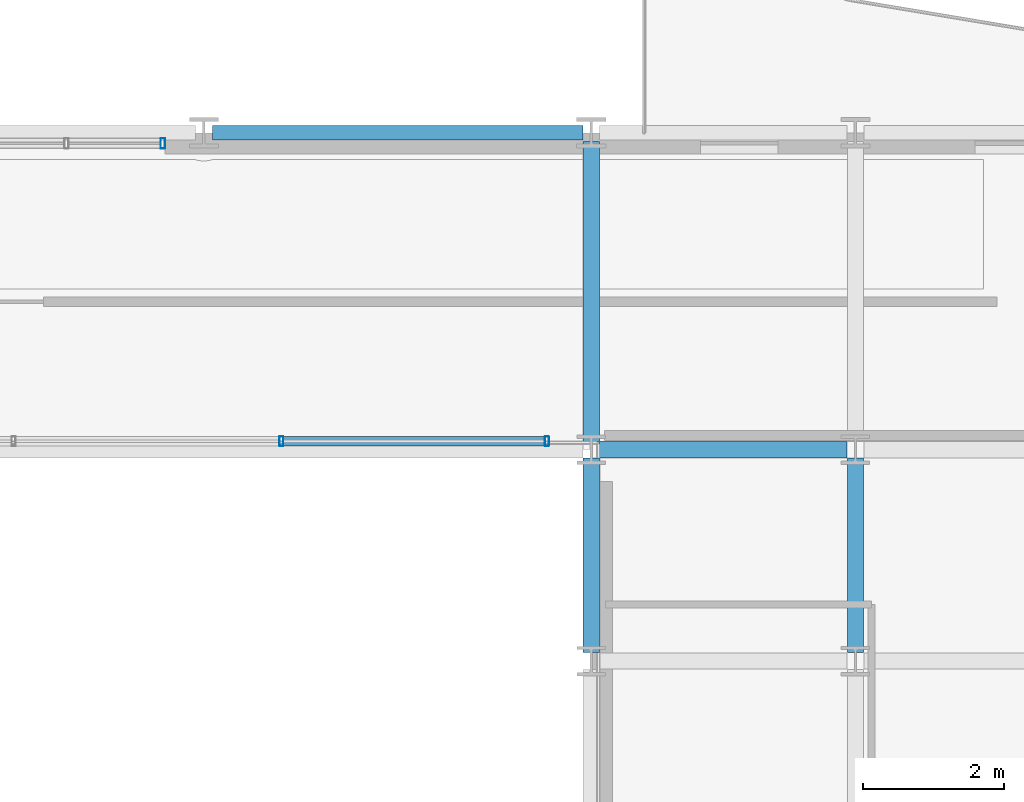
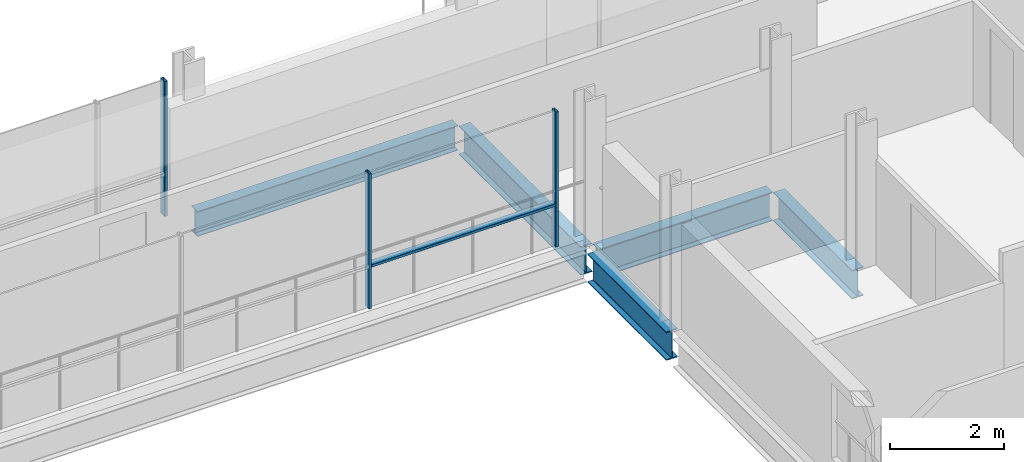
# One storey, part 17 of 38: 5 beams, 4 members, 2 elements without a shape of their own.
"""IFC4 building model written with IfcOpenShell, lengths in metres."""

import ifcopenshell
import ifcopenshell.guid

model = None  # the IFC model being written
_history = None  # IfcOwnerHistory: only IFC2X3 demands one
_inside = {}  # id of a spatial element -> (the spatial element, [elements in it])
_under = {}  # id of a project, library or spatial element -> (it, [spatial elements below it])
_declared = {}  # id of a project -> (the project, [libraries it declares])
_typed = {}  # id of a type object -> (the type object, [elements of that type])
_made_of = {}  # id of a material, layer set ... -> (it, [elements and type objects made of it])


def new_model(schema):
    """Start an empty IFC model of exactly this schema.

    Asked for "IFC4X3", IfcOpenShell would pick the latest addendum, in which some entities
    have other attributes; the version numbers below select the first issue.
    IFC2X3 requires an IfcOwnerHistory on every rooted entity: one is made here for all.
    """
    global model, _history
    if schema == "IFC4X3":
        model = ifcopenshell.file(schema_version=(4, 3, 0, 0))
    else:
        model = ifcopenshell.file(schema=schema)
    _inside.clear()
    _under.clear()
    _declared.clear()
    _typed.clear()
    _made_of.clear()
    _history = None
    if model.schema == "IFC2X3":
        org = make("IfcOrganization", Name="unknown")
        user = make(
            "IfcPersonAndOrganization",
            ThePerson=make("IfcPerson", FamilyName="unknown"),
            TheOrganization=org,
        )
        app = make(
            "IfcApplication",
            ApplicationDeveloper=org,
            Version="unknown",
            ApplicationFullName="unknown",
            ApplicationIdentifier="unknown",
        )
        _history = make(
            "IfcOwnerHistory",
            OwningUser=user,
            OwningApplication=app,
            ChangeAction="ADDED",
            CreationDate=0,
        )
    return model


def make(cls, **values):
    """One entity of the class cls with the attributes given. An attribute that is None is left unset."""
    return model.create_entity(
        cls, **{name: value for name, value in values.items() if value is not None}
    )


def rooted(cls, **values):
    """An entity with a GlobalId (a new one), such as an element, a storey or a relation."""
    return make(cls, GlobalId=ifcopenshell.guid.new(), OwnerHistory=_history, **values)


def si_unit(unit_type, name, prefix=None):
    """IfcSIUnit, for example si_unit("LENGTHUNIT", "METRE", prefix="MILLI")."""
    return make("IfcSIUnit", UnitType=unit_type, Prefix=prefix, Name=name)


def assignment(units):
    """IfcUnitAssignment: the units of a project."""
    return None if units is None else make("IfcUnitAssignment", Units=units)


def point(xyz):
    """IfcCartesianPoint."""
    return None if xyz is None else make("IfcCartesianPoint", Coordinates=xyz)


def direction(xyz):
    """IfcDirection."""
    return None if xyz is None else make("IfcDirection", DirectionRatios=xyz)


def frame(location, z_axis=None, x_axis=None):
    """IfcAxis2Placement3D, a coordinate frame: its origin and axes. An axis left out is left unset."""
    return make(
        "IfcAxis2Placement3D",
        Location=point(location),
        Axis=direction(z_axis),
        RefDirection=direction(x_axis),
    )


def frame_2d(location, x_axis=None):
    """IfcAxis2Placement2D, a coordinate frame in the plane: its origin and x axis."""
    return make(
        "IfcAxis2Placement2D", Location=point(location), RefDirection=direction(x_axis)
    )


def origin():
    """The frame at (0, 0, 0) with its axes left unset."""
    return frame((0.0, 0.0, 0.0))


def origin_2d():
    """The frame at (0, 0) in the plane with its x axis left unset."""
    return frame_2d((0.0, 0.0))


def place(relative_to, where):
    """IfcLocalPlacement: puts the frame where relative to a parent placement (None: the world)."""
    return make(
        "IfcLocalPlacement", PlacementRelTo=relative_to, RelativePlacement=where
    )


def context(
    kind, dimensions, precision=None, world=None, true_north=None, identifier=None
):
    """IfcGeometricRepresentationContext, for example the 3D "Model" context."""
    return make(
        "IfcGeometricRepresentationContext",
        ContextIdentifier=identifier,
        ContextType=kind,
        CoordinateSpaceDimension=dimensions,
        Precision=precision,
        WorldCoordinateSystem=world,
        TrueNorth=true_north,
    )


def subcontext(parent, identifier, kind, view, scale=None):
    """IfcGeometricRepresentationSubContext, for example "Body" below "Model"."""
    return make(
        "IfcGeometricRepresentationSubContext",
        ContextIdentifier=identifier,
        ContextType=kind,
        ParentContext=parent,
        TargetScale=scale,
        TargetView=view,
    )


def project(units=None, contexts=None):
    """IfcProject with its units and contexts."""
    return rooted(
        "IfcProject",
        Name="project",
        RepresentationContexts=contexts,
        UnitsInContext=assignment(units),
    )


def spatial(cls, under=None, at=None, **own):
    """A site, building, storey or space (cls), placed at a placement, below another one or the project."""
    s = rooted(cls, ObjectPlacement=at, **own)
    if under is not None:
        _under.setdefault(under.id(), (under, []))[1].append(s)
    return s


def profile(cls, at=None, kind="AREA", **sizes):
    """A parametric profile (cls). Its sizes go by their IFC names, for example OverallWidth=200.0."""
    return make(cls, ProfileType=kind, Position=at, **sizes)


def hollow_rectangle(**sizes):
    """IfcRectangleHollowProfileDef."""
    return profile("IfcRectangleHollowProfileDef", **sizes)


def i_section(**sizes):
    """IfcIShapeProfileDef."""
    return profile("IfcIShapeProfileDef", **sizes)


def extrude(swept, where, along, depth):
    """IfcExtrudedAreaSolid: the profile swept, set in the frame where, extruded along a direction by depth."""
    return make(
        "IfcExtrudedAreaSolid",
        SweptArea=swept,
        Position=where,
        ExtrudedDirection=direction(along),
        Depth=depth,
    )


def shape(context_of_items, identifier, shape_type, items):
    """IfcShapeRepresentation: the items that make up one representation, for example the "Body"."""
    return make(
        "IfcShapeRepresentation",
        ContextOfItems=context_of_items,
        RepresentationIdentifier=identifier,
        RepresentationType=shape_type,
        Items=items,
    )


def material(Name=None, Category=None):
    """IfcMaterial."""
    return make("IfcMaterial", Name=Name, Category=Category)


def layer(
    of_material, thickness, ventilated=None, Name=None, Category=None, Priority=None
):
    """IfcMaterialLayer: one layer of a wall or slab, of a material (None: an air gap)."""
    return make(
        "IfcMaterialLayer",
        Material=of_material,
        LayerThickness=thickness,
        IsVentilated=ventilated,
        Name=Name,
        Category=Category,
        Priority=Priority,
    )


def layer_set(layers, Name=None):
    """IfcMaterialLayerSet."""
    return make("IfcMaterialLayerSet", MaterialLayers=layers, LayerSetName=Name)


def material_profile(
    of_material, cross_section, Name=None, Category=None, Priority=None
):
    """IfcMaterialProfile: a cross section and its material."""
    return make(
        "IfcMaterialProfile",
        Name=Name,
        Material=of_material,
        Profile=cross_section,
        Priority=Priority,
        Category=Category,
    )


def profile_set(profiles, Name=None, composite=None):
    """IfcMaterialProfileSet."""
    return make(
        "IfcMaterialProfileSet",
        Name=Name,
        MaterialProfiles=profiles,
        CompositeProfile=composite,
    )


def made_of(thing, what):
    """Note that an element or type object is made of a material, layer set ...; save() writes the relation."""
    if what is not None:
        _made_of.setdefault(what.id(), (what, []))[1].append(thing)
    return thing


def type_object(cls, material=None, **own):
    """A type object (cls), such as IfcWallType, which elements share."""
    return made_of(rooted(cls, **own), material)


def element(
    cls,
    number,
    at=None,
    inside=None,
    cuts=None,
    type_object=None,
    material=None,
    context=None,
    identifier="Body",
    shape_type=None,
    held_by="IfcProductDefinitionShape",
    body=None,
    shapes=None,
    **own,
):
    """One element of the class cls, such as IfcWall. Its Tag is "e" and its number.

    at: its placement. inside: the storey or other place that contains it. cuts: it is an
    opening in that element (IfcRelVoidsElement). A single representation is given by context,
    identifier, shape_type and body (its items); several are given by shapes. held_by: the class
    of the entity that holds the representations. save() writes the other relations.
    """
    e = rooted(cls, Tag="e%d" % number, ObjectPlacement=at, **own)
    if body is not None:
        shapes = [shape(context, identifier, shape_type, body)]
    if shapes is not None:
        e.Representation = make(held_by, Representations=shapes)
    if inside is not None:
        _inside.setdefault(inside.id(), (inside, []))[1].append(e)
    if cuts is not None:
        rooted(
            "IfcRelVoidsElement", RelatingBuildingElement=cuts, RelatedOpeningElement=e
        )
    if type_object is not None:
        _typed.setdefault(type_object.id(), (type_object, []))[1].append(e)
    return made_of(e, material)


def aggregate(whole, parts):
    """IfcRelAggregates: a whole, such as a stair, and the parts it consists of."""
    return rooted("IfcRelAggregates", RelatingObject=whole, RelatedObjects=parts)


def save(model, path):
    """Write the relations noted so far, then the file.

    IfcRelAggregates (storeys below a building ...), IfcRelContainedInSpatialStructure (elements
    in a storey), IfcRelDefinesByType, IfcRelAssociatesMaterial and IfcRelDeclares: one each for
    every whole, place, type object, material and project.
    """
    for whole, parts in _under.values():
        aggregate(whole, parts)
    for where, things in _inside.values():
        rooted(
            "IfcRelContainedInSpatialStructure",
            RelatedElements=things,
            RelatingStructure=where,
        )
    for kind, things in _typed.values():
        rooted("IfcRelDefinesByType", RelatedObjects=things, RelatingType=kind)
    for what, things in _made_of.values():
        rooted("IfcRelAssociatesMaterial", RelatedObjects=things, RelatingMaterial=what)
    for by, libraries in _declared.values():
        rooted("IfcRelDeclares", RelatingContext=by, RelatedDefinitions=libraries)
    model.write(path)


model = new_model("IFC4")

# Units and contexts
model_context = context("Model", 3, precision=1e-05, world=origin(), true_north=direction((0.0, 1.0)))
body_context = subcontext(model_context, "Body", "Model", "MODEL_VIEW")
ifc_project = project(units=[si_unit("LENGTHUNIT", "METRE"), si_unit("AREAUNIT", "SQUARE_METRE"), si_unit("VOLUMEUNIT", "CUBIC_METRE"), si_unit("PLANEANGLEUNIT", "RADIAN"), si_unit("MASSUNIT", "GRAM", prefix="KILO")], contexts=[model_context])

# Site, building, storey
site_placement = place(None, origin())
site = spatial("IfcSite", under=ifc_project, at=site_placement, CompositionType="ELEMENT")
building_placement = place(site_placement, origin())
building = spatial("IfcBuilding", under=site, at=building_placement, Name="Brevholm Reach", CompositionType="ELEMENT")
storey_placement = place(building_placement, frame((0.0, 0.0, 128.300048828125)))
storey = spatial("IfcBuildingStorey", under=building, at=storey_placement, Name="L38", CompositionType="ELEMENT", Elevation=128.300048828125)

# Beams
ifc_material_1 = material(Name="Structural Steel S355J2", Category="steel")
ifc_material_profile_1 = material_profile(ifc_material_1, i_section(OverallWidth=0.209228515625, OverallDepth=0.533203125, WebThickness=0.010009765625, FlangeThickness=0.015625, FilletRadius=0.0126953125, at=origin_2d()), Name="UKB 533x210x92")
ifc_profile_set_1 = profile_set([ifc_material_profile_1], Name="Structural Steel S355J2")
beam_type_1 = type_object("IfcBeamType", Name="BM-SP533", PredefinedType="SPANDREL", material=ifc_profile_set_1)
beam_1_placement = place(storey_placement, frame((32.8701171875, 31.0, -0.486572265625), z_axis=(1.0, 0.0, 0.0), x_axis=(0.0, 1.0, 0.0)))
element("IfcBeam", 1, at=beam_1_placement, inside=storey, type_object=beam_type_1, Name="L38 SP-02 Framing Beam", PredefinedType="SPANDREL", context=body_context, shape_type="SweptSolid", body=[
    extrude(i_section(OverallWidth=0.209228515625, OverallDepth=0.533203125, WebThickness=0.010009765625, FlangeThickness=0.015625, FilletRadius=0.0126953125, at=origin_2d()), origin(), (0.0, 0.0, 1.0), 5.259765625),
])
ifc_material_2 = material(Name="Structural Steel S355J2", Category="steel")
ifc_material_profile_2 = material_profile(ifc_material_2, i_section(OverallWidth=0.22900390625, OverallDepth=0.6123046875, WebThickness=0.011962890625, FlangeThickness=0.01953125, FilletRadius=0.0126953125, at=origin_2d()), Name="UKB 610x229x125")
ifc_profile_set_2 = profile_set([ifc_material_profile_2], Name="Structural Steel S355J2")
beam_type_2 = type_object("IfcBeamType", Name="BM-SP610", PredefinedType="SPANDREL", material=ifc_profile_set_2)
beam_2_placement = place(storey_placement, frame((38.3701171875, 26.5, -0.526123046875), z_axis=(1.0, 0.0, 0.0), x_axis=(0.0, 1.0, 0.0)))
element("IfcBeam", 2, at=beam_2_placement, inside=storey, type_object=beam_type_2, Name="L38 SP-01 Framing Beam", PredefinedType="SPANDREL", context=body_context, shape_type="SweptSolid", body=[
    extrude(i_section(OverallWidth=0.22900390625, OverallDepth=0.6123046875, WebThickness=0.011962890625, FlangeThickness=0.01953125, FilletRadius=0.0126953125, at=origin_2d()), origin(), (0.0, 0.0, 1.0), 3.509765625),
])
beam_3_placement = place(storey_placement, frame((38.25, 23.6201171875, -0.526123046875), z_axis=(0.0, 1.0, 0.0), x_axis=(-1.0, 0.0, 0.0)))
element("IfcBeam", 3, at=beam_3_placement, inside=storey, type_object=beam_type_2, Name="L38 SP-01 Framing Beam", PredefinedType="SPANDREL", context=body_context, shape_type="SweptSolid", body=[
    extrude(i_section(OverallWidth=0.22900390625, OverallDepth=0.6123046875, WebThickness=0.011962890625, FlangeThickness=0.01953125, FilletRadius=0.0126953125, at=origin_2d()), origin(), (0.0, 0.0, 1.0), 2.759765625),
])
beam_4_placement = place(storey_placement, frame((38.25, 26.6201171875, -0.526123046875), z_axis=(0.0, 1.0, 0.0), x_axis=(-1.0, 0.0, 0.0)))
element("IfcBeam", 4, at=beam_4_placement, inside=storey, type_object=beam_type_2, Name="L38 SP-01 Framing Beam", PredefinedType="SPANDREL", context=body_context, shape_type="SweptSolid", body=[
    extrude(i_section(OverallWidth=0.22900390625, OverallDepth=0.6123046875, WebThickness=0.011962890625, FlangeThickness=0.01953125, FilletRadius=0.0126953125, at=origin_2d()), origin(), (0.0, 0.0, 1.0), 4.259765625),
])
beam_5_placement = place(storey_placement, frame((42.0, 23.6201171875, -0.526123046875), z_axis=(0.0, 1.0, 0.0), x_axis=(-1.0, 0.0, 0.0)))
element("IfcBeam", 5, at=beam_5_placement, inside=storey, type_object=beam_type_2, Name="L38 SP-01 Framing Beam", PredefinedType="SPANDREL", context=body_context, shape_type="SweptSolid", body=[
    extrude(i_section(OverallWidth=0.22900390625, OverallDepth=0.6123046875, WebThickness=0.011962890625, FlangeThickness=0.01953125, FilletRadius=0.0126953125, at=origin_2d()), origin(), (0.0, 0.0, 1.0), 2.759765625),
])

# Curtain wall, members
ifc_material_3 = material(Name="Dark Anodised Aluminium 6063-T6 and Solar-Control Glass", Category="aluminium")
ifc_layer_1 = layer(ifc_material_3, 0.139892578125)
ifc_layer_set_1 = layer_set([ifc_layer_1], Name="Dark Anodised Aluminium 6063-T6 and Solar-Control Glass")
curtain_wall_type_1 = type_object("IfcCurtainWallType", Name="CW-02", PredefinedType="NOTDEFINED", material=ifc_layer_set_1)
curtain_wall_1_placement = place(storey_placement, origin())
curtain_wall_1 = element("IfcCurtainWall", 6, at=curtain_wall_1_placement, inside=storey, type_object=curtain_wall_type_1, Name="L38 Curtain Wall CW-02", PredefinedType="NOTDEFINED")
ifc_material_4 = material(Name="Dark Anodised Aluminium 6063-T6", Category="aluminium")
ifc_material_profile_3 = material_profile(ifc_material_4, hollow_rectangle(XDim=0.06005859375, YDim=0.139892578125, WallThickness=0.0048828125, InnerFilletRadius=0.0048828125, OuterFilletRadius=0.010009765625, at=origin_2d()), Name="RHS 140x60x5")
ifc_profile_set_3 = profile_set([ifc_material_profile_3], Name="Dark Anodised Aluminium 6063-T6")
member_type_1 = type_object("IfcMemberType", Name="CWM-140", PredefinedType="MULLION", material=ifc_profile_set_3)
member_1_placement = place(storey_placement, frame((37.6201171875, 26.6201171875, 0.0), z_axis=(0.0, 0.0, 1.0), x_axis=(-1.0, 0.0, 0.0)))
member_1 = element("IfcMember", 7, at=member_1_placement, type_object=member_type_1, Name="CM-140 Mullion 1", PredefinedType="MULLION", context=body_context, shape_type="SweptSolid", body=[
    extrude(hollow_rectangle(XDim=0.06005859375, YDim=0.139892578125, WallThickness=0.0048828125, InnerFilletRadius=0.0048828125, OuterFilletRadius=0.010009765625, at=origin_2d()), origin(), (0.0, 0.0, 1.0), 2.8798828125),
])
member_2_placement = place(storey_placement, frame((33.85009765625, 26.6201171875, 0.0), z_axis=(0.0, 0.0, 1.0), x_axis=(-1.0, 0.0, 0.0)))
member_2 = element("IfcMember", 8, at=member_2_placement, type_object=member_type_1, Name="CM-140 Mullion 2", PredefinedType="MULLION", context=body_context, shape_type="SweptSolid", body=[
    extrude(hollow_rectangle(XDim=0.06005859375, YDim=0.139892578125, WallThickness=0.0048828125, InnerFilletRadius=0.0048828125, OuterFilletRadius=0.010009765625, at=origin_2d()), origin(), (0.0, 0.0, 1.0), 2.8798828125),
])

# Curtain wall, member
ifc_material_5 = material(Name="Dark Anodised Aluminium 6063-T6 and Solar-Control Glass", Category="aluminium")
ifc_layer_2 = layer(ifc_material_5, 0.14990234375)
ifc_layer_set_2 = layer_set([ifc_layer_2], Name="Dark Anodised Aluminium 6063-T6 and Solar-Control Glass")
curtain_wall_type_2 = type_object("IfcCurtainWallType", Name="CW-01", PredefinedType="NOTDEFINED", material=ifc_layer_set_2)
curtain_wall_2_placement = place(storey_placement, origin())
curtain_wall_2 = element("IfcCurtainWall", 9, at=curtain_wall_2_placement, inside=storey, type_object=curtain_wall_type_2, Name="L38 Curtain Wall CW-01", PredefinedType="NOTDEFINED")
ifc_material_6 = material(Name="Dark Anodised Aluminium 6063-T6", Category="aluminium")
ifc_material_profile_4 = material_profile(ifc_material_6, hollow_rectangle(XDim=0.06494140625, YDim=0.14990234375, WallThickness=0.0048828125, InnerFilletRadius=0.0048828125, OuterFilletRadius=0.010009765625, at=origin_2d()), Name="RHS 150x65x5")
ifc_profile_set_4 = profile_set([ifc_material_profile_4], Name="Dark Anodised Aluminium 6063-T6")
member_type_2 = type_object("IfcMemberType", Name="CWM-150", PredefinedType="MULLION", material=ifc_profile_set_4)
member_3_placement = place(storey_placement, frame((32.16748046875, 30.85009765625, 0.0), z_axis=(0.0, 0.0, 1.0), x_axis=(1.0, 0.0, 0.0)))
member_3 = element("IfcMember", 10, at=member_3_placement, type_object=member_type_2, Name="CM-150 Mullion 3", PredefinedType="MULLION", context=body_context, shape_type="SweptSolid", body=[
    extrude(hollow_rectangle(XDim=0.06494140625, YDim=0.14990234375, WallThickness=0.0048828125, InnerFilletRadius=0.0048828125, OuterFilletRadius=0.010009765625, at=origin_2d()), origin(), (0.0, 0.0, 1.0), 2.8798828125),
])
aggregate(curtain_wall_2, [member_3])

# Member
ifc_material_7 = material(Name="Dark Anodised Aluminium 6063-T6", Category="aluminium")
ifc_material_profile_5 = material_profile(ifc_material_7, hollow_rectangle(XDim=0.06005859375, YDim=0.139892578125, WallThickness=0.0048828125, InnerFilletRadius=0.0048828125, OuterFilletRadius=0.010009765625, at=origin_2d()), Name="RHS 140x60x5")
ifc_profile_set_5 = profile_set([ifc_material_profile_5], Name="Dark Anodised Aluminium 6063-T6")
member_type_3 = type_object("IfcMemberType", Name="CWT-140", PredefinedType="NOTDEFINED", material=ifc_profile_set_5)
member_4_placement = place(storey_placement, frame((37.590087890625, 26.6201171875, 0.89990234375), z_axis=(-1.0, 0.0, 0.0), x_axis=(0.0, 0.0, 1.0)))
member_4 = element("IfcMember", 11, at=member_4_placement, type_object=member_type_3, Name="CT-140 Transom 1.1", ObjectType="TRANSOM", PredefinedType="USERDEFINED", context=body_context, shape_type="SweptSolid", body=[
    extrude(hollow_rectangle(XDim=0.06005859375, YDim=0.139892578125, WallThickness=0.0048828125, InnerFilletRadius=0.0048828125, OuterFilletRadius=0.010009765625, at=origin_2d()), origin(), (0.0, 0.0, 1.0), 3.710205078125),
])

aggregate(curtain_wall_1, [member_1, member_2, member_4])

save(model, "model.ifc")
